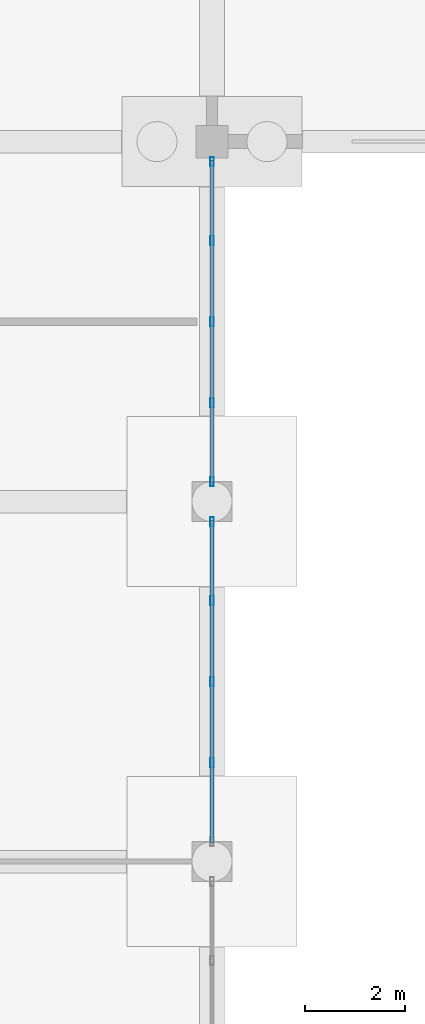
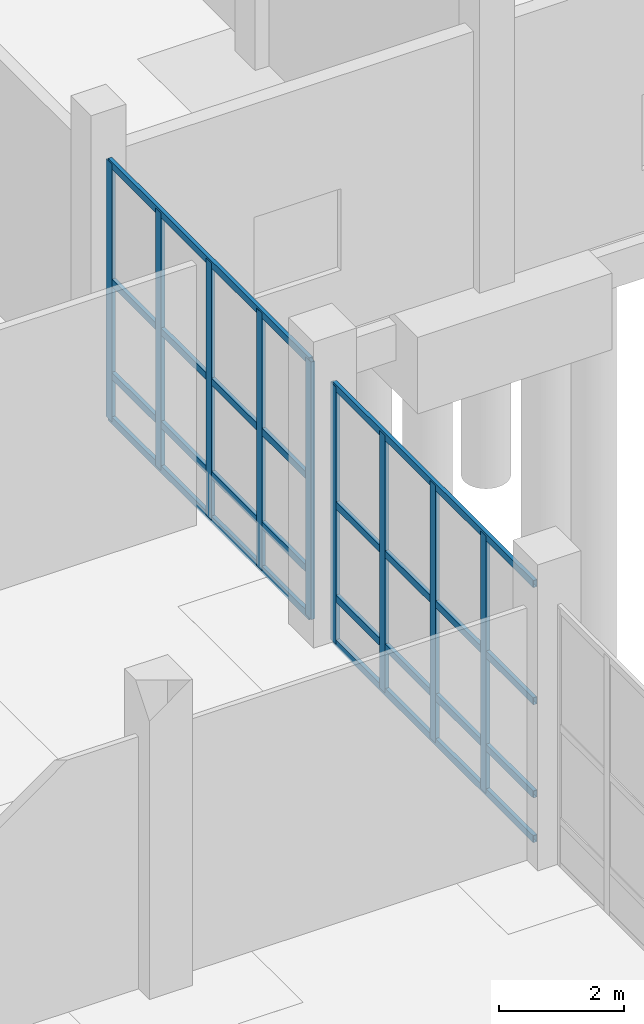
# One storey, part 16 of 45: 17 members, 2 elements without a shape of their own.
"""IFC4 building model written with IfcOpenShell, lengths in metres."""

import ifcopenshell
import ifcopenshell.guid

model = None  # the IFC model being written
_history = None  # IfcOwnerHistory: only IFC2X3 demands one
_inside = {}  # id of a spatial element -> (the spatial element, [elements in it])
_under = {}  # id of a project, library or spatial element -> (it, [spatial elements below it])
_declared = {}  # id of a project -> (the project, [libraries it declares])
_typed = {}  # id of a type object -> (the type object, [elements of that type])
_made_of = {}  # id of a material, layer set ... -> (it, [elements and type objects made of it])


def new_model(schema):
    """Start an empty IFC model of exactly this schema.

    Asked for "IFC4X3", IfcOpenShell would pick the latest addendum, in which some entities
    have other attributes; the version numbers below select the first issue.
    IFC2X3 requires an IfcOwnerHistory on every rooted entity: one is made here for all.
    """
    global model, _history
    if schema == "IFC4X3":
        model = ifcopenshell.file(schema_version=(4, 3, 0, 0))
    else:
        model = ifcopenshell.file(schema=schema)
    _inside.clear()
    _under.clear()
    _declared.clear()
    _typed.clear()
    _made_of.clear()
    _history = None
    if model.schema == "IFC2X3":
        org = make("IfcOrganization", Name="unknown")
        user = make(
            "IfcPersonAndOrganization",
            ThePerson=make("IfcPerson", FamilyName="unknown"),
            TheOrganization=org,
        )
        app = make(
            "IfcApplication",
            ApplicationDeveloper=org,
            Version="unknown",
            ApplicationFullName="unknown",
            ApplicationIdentifier="unknown",
        )
        _history = make(
            "IfcOwnerHistory",
            OwningUser=user,
            OwningApplication=app,
            ChangeAction="ADDED",
            CreationDate=0,
        )
    return model


def make(cls, **values):
    """One entity of the class cls with the attributes given. An attribute that is None is left unset."""
    return model.create_entity(
        cls, **{name: value for name, value in values.items() if value is not None}
    )


def rooted(cls, **values):
    """An entity with a GlobalId (a new one), such as an element, a storey or a relation."""
    return make(cls, GlobalId=ifcopenshell.guid.new(), OwnerHistory=_history, **values)


def si_unit(unit_type, name, prefix=None):
    """IfcSIUnit, for example si_unit("LENGTHUNIT", "METRE", prefix="MILLI")."""
    return make("IfcSIUnit", UnitType=unit_type, Prefix=prefix, Name=name)


def assignment(units):
    """IfcUnitAssignment: the units of a project."""
    return None if units is None else make("IfcUnitAssignment", Units=units)


def point(xyz):
    """IfcCartesianPoint."""
    return None if xyz is None else make("IfcCartesianPoint", Coordinates=xyz)


def direction(xyz):
    """IfcDirection."""
    return None if xyz is None else make("IfcDirection", DirectionRatios=xyz)


def frame(location, z_axis=None, x_axis=None):
    """IfcAxis2Placement3D, a coordinate frame: its origin and axes. An axis left out is left unset."""
    return make(
        "IfcAxis2Placement3D",
        Location=point(location),
        Axis=direction(z_axis),
        RefDirection=direction(x_axis),
    )


def frame_2d(location, x_axis=None):
    """IfcAxis2Placement2D, a coordinate frame in the plane: its origin and x axis."""
    return make(
        "IfcAxis2Placement2D", Location=point(location), RefDirection=direction(x_axis)
    )


def origin():
    """The frame at (0, 0, 0) with its axes left unset."""
    return frame((0.0, 0.0, 0.0))


def origin_2d():
    """The frame at (0, 0) in the plane with its x axis left unset."""
    return frame_2d((0.0, 0.0))


def place(relative_to, where):
    """IfcLocalPlacement: puts the frame where relative to a parent placement (None: the world)."""
    return make(
        "IfcLocalPlacement", PlacementRelTo=relative_to, RelativePlacement=where
    )


def context(
    kind, dimensions, precision=None, world=None, true_north=None, identifier=None
):
    """IfcGeometricRepresentationContext, for example the 3D "Model" context."""
    return make(
        "IfcGeometricRepresentationContext",
        ContextIdentifier=identifier,
        ContextType=kind,
        CoordinateSpaceDimension=dimensions,
        Precision=precision,
        WorldCoordinateSystem=world,
        TrueNorth=true_north,
    )


def subcontext(parent, identifier, kind, view, scale=None):
    """IfcGeometricRepresentationSubContext, for example "Body" below "Model"."""
    return make(
        "IfcGeometricRepresentationSubContext",
        ContextIdentifier=identifier,
        ContextType=kind,
        ParentContext=parent,
        TargetScale=scale,
        TargetView=view,
    )


def project(units=None, contexts=None):
    """IfcProject with its units and contexts."""
    return rooted(
        "IfcProject",
        Name="project",
        RepresentationContexts=contexts,
        UnitsInContext=assignment(units),
    )


def spatial(cls, under=None, at=None, **own):
    """A site, building, storey or space (cls), placed at a placement, below another one or the project."""
    s = rooted(cls, ObjectPlacement=at, **own)
    if under is not None:
        _under.setdefault(under.id(), (under, []))[1].append(s)
    return s


def profile(cls, at=None, kind="AREA", **sizes):
    """A parametric profile (cls). Its sizes go by their IFC names, for example OverallWidth=200.0."""
    return make(cls, ProfileType=kind, Position=at, **sizes)


def hollow_rectangle(**sizes):
    """IfcRectangleHollowProfileDef."""
    return profile("IfcRectangleHollowProfileDef", **sizes)


def extrude(swept, where, along, depth):
    """IfcExtrudedAreaSolid: the profile swept, set in the frame where, extruded along a direction by depth."""
    return make(
        "IfcExtrudedAreaSolid",
        SweptArea=swept,
        Position=where,
        ExtrudedDirection=direction(along),
        Depth=depth,
    )


def shape(context_of_items, identifier, shape_type, items):
    """IfcShapeRepresentation: the items that make up one representation, for example the "Body"."""
    return make(
        "IfcShapeRepresentation",
        ContextOfItems=context_of_items,
        RepresentationIdentifier=identifier,
        RepresentationType=shape_type,
        Items=items,
    )


def material(Name=None, Category=None):
    """IfcMaterial."""
    return make("IfcMaterial", Name=Name, Category=Category)


def material_profile(
    of_material, cross_section, Name=None, Category=None, Priority=None
):
    """IfcMaterialProfile: a cross section and its material."""
    return make(
        "IfcMaterialProfile",
        Name=Name,
        Material=of_material,
        Profile=cross_section,
        Priority=Priority,
        Category=Category,
    )


def profile_set(profiles, Name=None, composite=None):
    """IfcMaterialProfileSet."""
    return make(
        "IfcMaterialProfileSet",
        Name=Name,
        MaterialProfiles=profiles,
        CompositeProfile=composite,
    )


def made_of(thing, what):
    """Note that an element or type object is made of a material, layer set ...; save() writes the relation."""
    if what is not None:
        _made_of.setdefault(what.id(), (what, []))[1].append(thing)
    return thing


def type_object(cls, material=None, **own):
    """A type object (cls), such as IfcWallType, which elements share."""
    return made_of(rooted(cls, **own), material)


def element(
    cls,
    number,
    at=None,
    inside=None,
    cuts=None,
    type_object=None,
    material=None,
    context=None,
    identifier="Body",
    shape_type=None,
    held_by="IfcProductDefinitionShape",
    body=None,
    shapes=None,
    **own,
):
    """One element of the class cls, such as IfcWall. Its Tag is "e" and its number.

    at: its placement. inside: the storey or other place that contains it. cuts: it is an
    opening in that element (IfcRelVoidsElement). A single representation is given by context,
    identifier, shape_type and body (its items); several are given by shapes. held_by: the class
    of the entity that holds the representations. save() writes the other relations.
    """
    e = rooted(cls, Tag="e%d" % number, ObjectPlacement=at, **own)
    if body is not None:
        shapes = [shape(context, identifier, shape_type, body)]
    if shapes is not None:
        e.Representation = make(held_by, Representations=shapes)
    if inside is not None:
        _inside.setdefault(inside.id(), (inside, []))[1].append(e)
    if cuts is not None:
        rooted(
            "IfcRelVoidsElement", RelatingBuildingElement=cuts, RelatedOpeningElement=e
        )
    if type_object is not None:
        _typed.setdefault(type_object.id(), (type_object, []))[1].append(e)
    return made_of(e, material)


def aggregate(whole, parts):
    """IfcRelAggregates: a whole, such as a stair, and the parts it consists of."""
    return rooted("IfcRelAggregates", RelatingObject=whole, RelatedObjects=parts)


def save(model, path):
    """Write the relations noted so far, then the file.

    IfcRelAggregates (storeys below a building ...), IfcRelContainedInSpatialStructure (elements
    in a storey), IfcRelDefinesByType, IfcRelAssociatesMaterial and IfcRelDeclares: one each for
    every whole, place, type object, material and project.
    """
    for whole, parts in _under.values():
        aggregate(whole, parts)
    for where, things in _inside.values():
        rooted(
            "IfcRelContainedInSpatialStructure",
            RelatedElements=things,
            RelatingStructure=where,
        )
    for kind, things in _typed.values():
        rooted("IfcRelDefinesByType", RelatedObjects=things, RelatingType=kind)
    for what, things in _made_of.values():
        rooted("IfcRelAssociatesMaterial", RelatedObjects=things, RelatingMaterial=what)
    for by, libraries in _declared.values():
        rooted("IfcRelDeclares", RelatingContext=by, RelatedDefinitions=libraries)
    model.write(path)


model = new_model("IFC4")

# Units and contexts
model_context = context("Model", 3, precision=1e-05, world=origin(), true_north=direction((0.0, 1.0)))
body_context = subcontext(model_context, "Body", "Model", "MODEL_VIEW")
ifc_project = project(units=[si_unit("LENGTHUNIT", "METRE"), si_unit("AREAUNIT", "SQUARE_METRE"), si_unit("VOLUMEUNIT", "CUBIC_METRE"), si_unit("PLANEANGLEUNIT", "RADIAN"), si_unit("MASSUNIT", "GRAM", prefix="KILO")], contexts=[model_context])

# Site, building, storey
site_placement = place(None, origin())
site = spatial("IfcSite", under=ifc_project, at=site_placement, CompositionType="ELEMENT")
building_placement = place(site_placement, origin())
building = spatial("IfcBuilding", under=site, at=building_placement, Name="Yarey Park Central Fire Station", CompositionType="ELEMENT")
storey_placement = place(building_placement, origin())
storey = spatial("IfcBuildingStorey", under=building, at=storey_placement, Name="L01", CompositionType="ELEMENT", Elevation=0.0)

# Curtain wall, members
ifc_material = material(Name="Anodized Aluminium Frame", Category="aluminium")
curtain_wall_type = type_object("IfcCurtainWallType", Name="ENV_CW_HQ_L01", PredefinedType="NOTDEFINED", material=ifc_material)
curtain_wall_1_placement = place(storey_placement, origin())
curtain_wall_1 = element("IfcCurtainWall", 1, at=curtain_wall_1_placement, inside=storey, type_object=curtain_wall_type, Name="CW_L01_V1_E_3", PredefinedType="NOTDEFINED")
ifc_material_profile_1 = material_profile(ifc_material, hollow_rectangle(XDim=0.070068359375, YDim=0.179931640625, WallThickness=0.00390625, at=origin_2d()), Name="ALU 180x70x4")
ifc_profile_set_1 = profile_set([ifc_material_profile_1], Name="Anodized Aluminium Frame")
member_type_1 = type_object("IfcMemberType", Name="ENV_CW_MULLION", PredefinedType="MULLION", material=ifc_profile_set_1)
member_1_placement = place(storey_placement, frame((57.60009765625, 23.580078125, 0.0), z_axis=(0.0, 0.0, 1.0), x_axis=(1.0, 0.0, 0.0)))
member_1 = element("IfcMember", 2, at=member_1_placement, type_object=member_type_1, Name="CW_L01_V1_E_3_MUL2", PredefinedType="MULLION", context=body_context, shape_type="SweptSolid", body=[
    extrude(hollow_rectangle(XDim=0.070068359375, YDim=0.179931640625, WallThickness=0.00390625, at=origin_2d()), origin(), (0.0, 0.0, 1.0), 5.050048828125),
])
member_2_placement = place(storey_placement, frame((57.60009765625, 25.199951171875, 0.0), z_axis=(0.0, 0.0, 1.0), x_axis=(1.0, 0.0, 0.0)))
member_2 = element("IfcMember", 3, at=member_2_placement, type_object=member_type_1, Name="CW_L01_V1_E_3_MUL3", PredefinedType="MULLION", context=body_context, shape_type="SweptSolid", body=[
    extrude(hollow_rectangle(XDim=0.070068359375, YDim=0.179931640625, WallThickness=0.00390625, at=origin_2d()), origin(), (0.0, 0.0, 1.0), 5.050048828125),
])
member_3_placement = place(storey_placement, frame((57.60009765625, 26.820068359375, 0.0), z_axis=(0.0, 0.0, 1.0), x_axis=(1.0, 0.0, 0.0)))
member_3 = element("IfcMember", 4, at=member_3_placement, type_object=member_type_1, Name="CW_L01_V1_E_3_MUL4", PredefinedType="MULLION", context=body_context, shape_type="SweptSolid", body=[
    extrude(hollow_rectangle(XDim=0.070068359375, YDim=0.179931640625, WallThickness=0.00390625, at=origin_2d()), origin(), (0.0, 0.0, 1.0), 5.050048828125),
])
member_4_placement = place(storey_placement, frame((57.60009765625, 28.39990234375, 0.0), z_axis=(0.0, 0.0, 1.0), x_axis=(1.0, 0.0, 0.0)))
member_4 = element("IfcMember", 5, at=member_4_placement, type_object=member_type_1, Name="CW_L01_V1_E_3_MUL5", PredefinedType="MULLION", context=body_context, shape_type="SweptSolid", body=[
    extrude(hollow_rectangle(XDim=0.070068359375, YDim=0.179931640625, WallThickness=0.00390625, at=origin_2d()), origin(), (0.0, 0.0, 1.0), 5.050048828125),
])

curtain_wall_2_placement = place(storey_placement, origin())
curtain_wall_2 = element("IfcCurtainWall", 6, at=curtain_wall_2_placement, inside=storey, type_object=curtain_wall_type, Name="CW_L01_V1_E_4", PredefinedType="NOTDEFINED")
member_5_placement = place(storey_placement, frame((57.60009765625, 29.199951171875, 0.0), z_axis=(0.0, 0.0, 1.0), x_axis=(1.0, 0.0, 0.0)))
member_5 = element("IfcMember", 7, at=member_5_placement, type_object=member_type_1, Name="CW_L01_V1_E_4_MUL1", PredefinedType="MULLION", context=body_context, shape_type="SweptSolid", body=[
    extrude(hollow_rectangle(XDim=0.070068359375, YDim=0.179931640625, WallThickness=0.00390625, at=origin_2d()), origin(), (0.0, 0.0, 1.0), 5.050048828125),
])
member_6_placement = place(storey_placement, frame((57.60009765625, 30.780029296875, 0.0), z_axis=(0.0, 0.0, 1.0), x_axis=(1.0, 0.0, 0.0)))
member_6 = element("IfcMember", 8, at=member_6_placement, type_object=member_type_1, Name="CW_L01_V1_E_4_MUL2", PredefinedType="MULLION", context=body_context, shape_type="SweptSolid", body=[
    extrude(hollow_rectangle(XDim=0.070068359375, YDim=0.179931640625, WallThickness=0.00390625, at=origin_2d()), origin(), (0.0, 0.0, 1.0), 5.050048828125),
])
member_7_placement = place(storey_placement, frame((57.60009765625, 32.39990234375, 0.0), z_axis=(0.0, 0.0, 1.0), x_axis=(1.0, 0.0, 0.0)))
member_7 = element("IfcMember", 9, at=member_7_placement, type_object=member_type_1, Name="CW_L01_V1_E_4_MUL3", PredefinedType="MULLION", context=body_context, shape_type="SweptSolid", body=[
    extrude(hollow_rectangle(XDim=0.070068359375, YDim=0.179931640625, WallThickness=0.00390625, at=origin_2d()), origin(), (0.0, 0.0, 1.0), 5.050048828125),
])
member_8_placement = place(storey_placement, frame((57.60009765625, 34.02001953125, 0.0), z_axis=(0.0, 0.0, 1.0), x_axis=(1.0, 0.0, 0.0)))
member_8 = element("IfcMember", 10, at=member_8_placement, type_object=member_type_1, Name="CW_L01_V1_E_4_MUL4", PredefinedType="MULLION", context=body_context, shape_type="SweptSolid", body=[
    extrude(hollow_rectangle(XDim=0.070068359375, YDim=0.179931640625, WallThickness=0.00390625, at=origin_2d()), origin(), (0.0, 0.0, 1.0), 5.050048828125),
])
member_9_placement = place(storey_placement, frame((57.60009765625, 35.60009765625, 0.0), z_axis=(0.0, 0.0, 1.0), x_axis=(1.0, 0.0, 0.0)))
member_9 = element("IfcMember", 11, at=member_9_placement, type_object=member_type_1, Name="CW_L01_V1_E_4_MUL5", PredefinedType="MULLION", context=body_context, shape_type="SweptSolid", body=[
    extrude(hollow_rectangle(XDim=0.070068359375, YDim=0.179931640625, WallThickness=0.00390625, at=origin_2d()), origin(), (0.0, 0.0, 1.0), 5.050048828125),
])

# Member
ifc_material_profile_2 = material_profile(ifc_material, hollow_rectangle(XDim=0.070068359375, YDim=0.139892578125, WallThickness=0.00390625, at=origin_2d()), Name="ALU 140x70x4")
ifc_profile_set_2 = profile_set([ifc_material_profile_2], Name="Anodized Aluminium Frame")
member_type_2 = type_object("IfcMemberType", Name="ENV_CW_TRANSOM", PredefinedType="USERDEFINED", material=ifc_profile_set_2)
member_10_placement = place(storey_placement, frame((57.60009765625, 21.97509765625, 0.02490234375), z_axis=(0.0, 1.0, 0.0), x_axis=(-1.0, 0.0, 0.0)))
member_10 = element("IfcMember", 12, at=member_10_placement, type_object=member_type_2, Name="CW_L01_V1_E_3_TRN1", ObjectType="TRANSOM", PredefinedType="USERDEFINED", context=body_context, shape_type="SweptSolid", body=[
    extrude(hollow_rectangle(XDim=0.070068359375, YDim=0.139892578125, WallThickness=0.00390625, at=origin_2d()), origin(), (0.0, 0.0, 1.0), 6.449951171875),
])

member_11_placement = place(storey_placement, frame((57.60009765625, 21.97509765625, 0.89990234375), z_axis=(0.0, 1.0, 0.0), x_axis=(-1.0, 0.0, 0.0)))
member_11 = element("IfcMember", 13, at=member_11_placement, type_object=member_type_2, Name="CW_L01_V1_E_3_TRN2", ObjectType="TRANSOM", PredefinedType="USERDEFINED", context=body_context, shape_type="SweptSolid", body=[
    extrude(hollow_rectangle(XDim=0.070068359375, YDim=0.139892578125, WallThickness=0.00390625, at=origin_2d()), origin(), (0.0, 0.0, 1.0), 6.449951171875),
])

member_12_placement = place(storey_placement, frame((57.60009765625, 21.97509765625, 2.72705078125), z_axis=(0.0, 1.0, 0.0), x_axis=(-1.0, 0.0, 0.0)))
member_12 = element("IfcMember", 14, at=member_12_placement, type_object=member_type_2, Name="CW_L01_V1_E_3_TRN3", ObjectType="TRANSOM", PredefinedType="USERDEFINED", context=body_context, shape_type="SweptSolid", body=[
    extrude(hollow_rectangle(XDim=0.070068359375, YDim=0.139892578125, WallThickness=0.00390625, at=origin_2d()), origin(), (0.0, 0.0, 1.0), 6.449951171875),
])

member_13_placement = place(storey_placement, frame((57.60009765625, 21.97509765625, 5.02490234375), z_axis=(0.0, 1.0, 0.0), x_axis=(-1.0, 0.0, 0.0)))
member_13 = element("IfcMember", 15, at=member_13_placement, type_object=member_type_2, Name="CW_L01_V1_E_3_TRN4", ObjectType="TRANSOM", PredefinedType="USERDEFINED", context=body_context, shape_type="SweptSolid", body=[
    extrude(hollow_rectangle(XDim=0.070068359375, YDim=0.139892578125, WallThickness=0.00390625, at=origin_2d()), origin(), (0.0, 0.0, 1.0), 6.449951171875),
])

aggregate(curtain_wall_1, [member_1, member_2, member_3, member_4, member_10, member_11, member_12, member_13])

member_14_placement = place(storey_placement, frame((57.60009765625, 29.175048828125, 0.02490234375), z_axis=(0.0, 1.0, 0.0), x_axis=(-1.0, 0.0, 0.0)))
member_14 = element("IfcMember", 16, at=member_14_placement, type_object=member_type_2, Name="CW_L01_V1_E_4_TRN1", ObjectType="TRANSOM", PredefinedType="USERDEFINED", context=body_context, shape_type="SweptSolid", body=[
    extrude(hollow_rectangle(XDim=0.070068359375, YDim=0.139892578125, WallThickness=0.00390625, at=origin_2d()), origin(), (0.0, 0.0, 1.0), 6.449951171875),
])

member_15_placement = place(storey_placement, frame((57.60009765625, 29.175048828125, 0.89990234375), z_axis=(0.0, 1.0, 0.0), x_axis=(-1.0, 0.0, 0.0)))
member_15 = element("IfcMember", 17, at=member_15_placement, type_object=member_type_2, Name="CW_L01_V1_E_4_TRN2", ObjectType="TRANSOM", PredefinedType="USERDEFINED", context=body_context, shape_type="SweptSolid", body=[
    extrude(hollow_rectangle(XDim=0.070068359375, YDim=0.139892578125, WallThickness=0.00390625, at=origin_2d()), origin(), (0.0, 0.0, 1.0), 6.449951171875),
])

member_16_placement = place(storey_placement, frame((57.60009765625, 29.175048828125, 2.72705078125), z_axis=(0.0, 1.0, 0.0), x_axis=(-1.0, 0.0, 0.0)))
member_16 = element("IfcMember", 18, at=member_16_placement, type_object=member_type_2, Name="CW_L01_V1_E_4_TRN3", ObjectType="TRANSOM", PredefinedType="USERDEFINED", context=body_context, shape_type="SweptSolid", body=[
    extrude(hollow_rectangle(XDim=0.070068359375, YDim=0.139892578125, WallThickness=0.00390625, at=origin_2d()), origin(), (0.0, 0.0, 1.0), 6.449951171875),
])

member_17_placement = place(storey_placement, frame((57.60009765625, 29.175048828125, 5.02490234375), z_axis=(0.0, 1.0, 0.0), x_axis=(-1.0, 0.0, 0.0)))
member_17 = element("IfcMember", 19, at=member_17_placement, type_object=member_type_2, Name="CW_L01_V1_E_4_TRN4", ObjectType="TRANSOM", PredefinedType="USERDEFINED", context=body_context, shape_type="SweptSolid", body=[
    extrude(hollow_rectangle(XDim=0.070068359375, YDim=0.139892578125, WallThickness=0.00390625, at=origin_2d()), origin(), (0.0, 0.0, 1.0), 6.449951171875),
])

aggregate(curtain_wall_2, [member_5, member_6, member_7, member_8, member_9, member_14, member_15, member_16, member_17])

save(model, "model.ifc")
